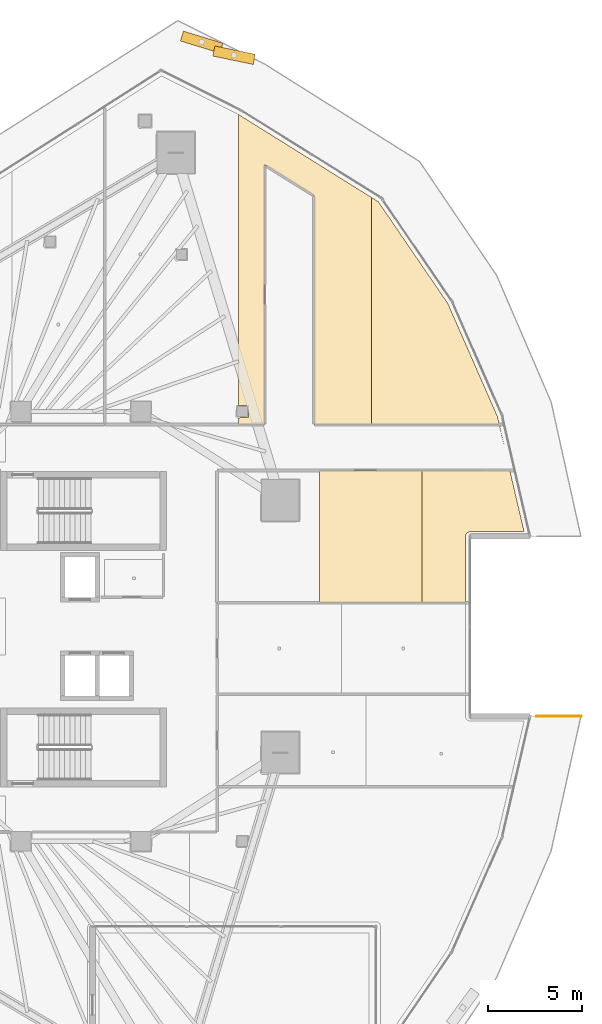
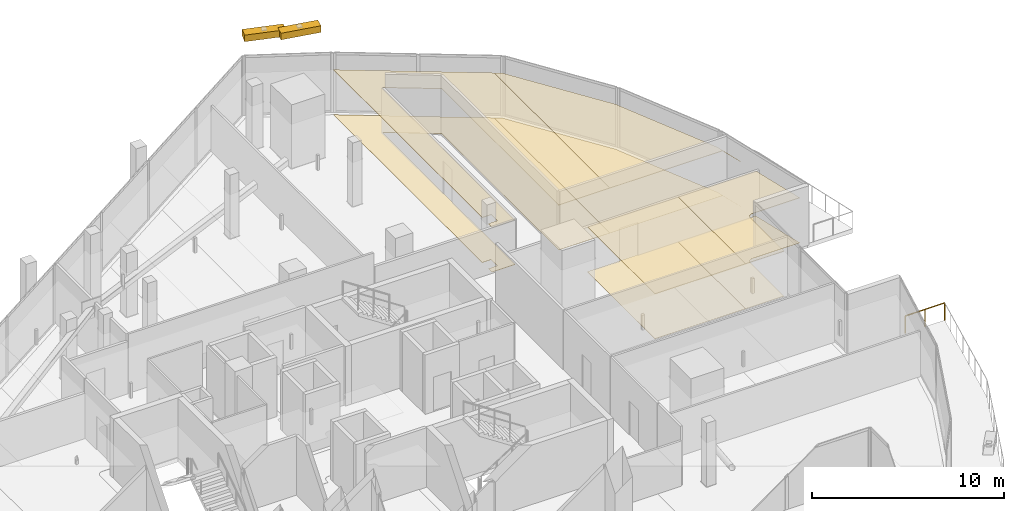
# One storey, part 43 of 43: 8 coverings, 2 shading devices, 1 railing.
"""IFC4 building model written with IfcOpenShell, lengths in metres."""

from ifc_helpers import new_model, si_unit, direction, frame, origin, origin_2d, place, context, subcontext, project, spatial, polyline, rectangle, circle, outline, extrude, material, layer, layer_set, type_object, element, save


model = new_model("IFC4")

# Units and contexts
model_context = context("Model", 3, precision=1e-05, world=origin(), true_north=direction((0.0, 1.0)))
body_context = subcontext(model_context, "Body", "Model", "MODEL_VIEW")
ifc_project = project(units=[si_unit("LENGTHUNIT", "METRE"), si_unit("AREAUNIT", "SQUARE_METRE"), si_unit("VOLUMEUNIT", "CUBIC_METRE"), si_unit("PLANEANGLEUNIT", "RADIAN"), si_unit("MASSUNIT", "GRAM", prefix="KILO")], contexts=[model_context])

# Site, building, storey
site_placement = place(None, origin())
site = spatial("IfcSite", under=ifc_project, at=site_placement, CompositionType="ELEMENT")
building_placement = place(site_placement, origin())
building = spatial("IfcBuilding", under=site, at=building_placement, Name="Qorvath Tower", CompositionType="ELEMENT")
storey_placement = place(building_placement, frame((0.0, 0.0, 150.300048828125)))
storey = spatial("IfcBuildingStorey", under=building, at=storey_placement, Name="L34", CompositionType="ELEMENT", Elevation=150.300048828125)

# Coverings
ifc_material_1 = material(Name="Acoustic mineral fibre ceiling tile", Category="gypsum")
ifc_layer_1 = layer(ifc_material_1, 0.030029296875)
ifc_layer_set_1 = layer_set([ifc_layer_1], Name="COV-CEIL")
covering_type_1 = type_object("IfcCoveringType", Name="COV-CEIL", PredefinedType="CEILING", material=ifc_layer_set_1)
covering_1_placement = place(storey_placement, frame((0.0, 0.0, 2.849853515625)))
element("IfcCovering", 1, at=covering_1_placement, inside=storey, type_object=covering_type_1, Name="L34 Suspended Acoustic Ceiling 015", PredefinedType="CEILING", context=body_context, shape_type="SweptSolid", body=[
    extrude(outline(polyline([(-4.907958984375, 10.762939453125), (-4.907958984375, 22.8505859375), (-12.013671875, 27.28466796875), (-12.013671875, 11.767333984375), (-11.482666015625, 11.767333984375), (-11.482666015625, 11.132568359375), (-12.013671875, 11.11669921875), (-12.013671875, 10.762939453125), (-10.613037109375, 10.762939453125), (-10.608642578125, 24.6005859375), (-7.987060546875, 22.96337890625), (-7.987060546875, 10.762939453125), (-4.907958984375, 10.762939453125)])), origin(), (0.0, 0.0, 1.0), 0.030029296875),
])
covering_2_placement = place(storey_placement, frame((0.0, 0.0, 2.849853515625)))
element("IfcCovering", 2, at=covering_2_placement, inside=storey, type_object=covering_type_1, Name="L34 Suspended Acoustic Ceiling 016", PredefinedType="CEILING", context=body_context, shape_type="SweptSolid", body=[
    extrude(outline(polyline([(-0.85205078125, 17.2138671875), (-4.5537109375, 22.62939453125), (-4.907958984375, 22.8505859375), (-4.907958984375, 10.762939453125), (1.87646484375, 10.762939453125), (2.19775390625, 9.44580078125), (1.796142578125, 11.18017578125), (-0.85205078125, 17.2138671875)])), origin(), (0.0, 0.0, 1.0), 0.030029296875),
])
covering_3_placement = place(storey_placement, frame((0.0, 0.0, 2.849853515625)))
element("IfcCovering", 3, at=covering_3_placement, inside=storey, type_object=covering_type_1, Name="L34 Suspended Acoustic Ceiling 025", PredefinedType="CEILING", context=body_context, shape_type="SweptSolid", body=[
    extrude(outline(polyline([(-2.235107421875, 1.265380859375), (-2.235107421875, 8.318359375), (-7.68603515625, 8.312744140625), (-7.68603515625, 1.265380859375), (-2.235107421875, 1.265380859375)])), origin(), (0.0, 0.0, 1.0), 0.030029296875),
])
covering_4_placement = place(storey_placement, frame((0.0, 0.0, 2.849853515625)))
element("IfcCovering", 4, at=covering_4_placement, inside=storey, type_object=covering_type_1, Name="L34 Suspended Acoustic Ceiling 026", PredefinedType="CEILING", context=body_context, shape_type="SweptSolid", body=[
    extrude(outline(polyline([(0.144287109375, 4.958251953125), (0.315185546875, 5.049072265625), (3.2158203125, 5.05029296875), (2.449462890625, 8.3232421875), (-2.235107421875, 8.318359375), (-2.235107421875, 1.265380859375), (0.084716796875, 1.265380859375), (0.0859375, 4.81982421875), (0.144287109375, 4.958251953125)])), origin(), (0.0, 0.0, 1.0), 0.030029296875),
])
ifc_material_2 = material(Name="Low-VOC modular carpet tile", Category="textile")
ifc_layer_2 = layer(ifc_material_2, 0.014892578125)
ifc_layer_set_2 = layer_set([ifc_layer_2], Name="COV-FLOOR-CPT")
covering_type_2 = type_object("IfcCoveringType", Name="COV-FLOOR-CPT", PredefinedType="FLOORING", material=ifc_layer_set_2)
covering_5_placement = place(storey_placement, origin())
element("IfcCovering", 5, at=covering_5_placement, inside=storey, type_object=covering_type_2, Name="L34 Floor Finish 015", PredefinedType="FLOORING", context=body_context, shape_type="SweptSolid", body=[
    extrude(outline(polyline([(-4.907958984375, 10.762939453125), (-4.907958984375, 22.8505859375), (-12.013671875, 27.28466796875), (-12.013671875, 11.767333984375), (-11.482666015625, 11.767333984375), (-11.482666015625, 11.132568359375), (-12.013671875, 11.11669921875), (-12.013671875, 10.762939453125), (-10.613037109375, 10.762939453125), (-10.608642578125, 24.6005859375), (-7.987060546875, 22.96337890625), (-7.987060546875, 10.762939453125), (-4.907958984375, 10.762939453125)])), origin(), (0.0, 0.0, 1.0), 0.014892578125),
])
covering_6_placement = place(storey_placement, origin())
element("IfcCovering", 6, at=covering_6_placement, inside=storey, type_object=covering_type_2, Name="L34 Floor Finish 016", PredefinedType="FLOORING", context=body_context, shape_type="SweptSolid", body=[
    extrude(outline(polyline([(-0.85205078125, 17.2138671875), (-4.5537109375, 22.62939453125), (-4.907958984375, 22.8505859375), (-4.907958984375, 10.762939453125), (1.87646484375, 10.762939453125), (2.19775390625, 9.44580078125), (1.796142578125, 11.18017578125), (-0.85205078125, 17.2138671875)])), origin(), (0.0, 0.0, 1.0), 0.014892578125),
])
covering_7_placement = place(storey_placement, origin())
element("IfcCovering", 7, at=covering_7_placement, inside=storey, type_object=covering_type_2, Name="L34 Floor Finish 025", PredefinedType="FLOORING", context=body_context, shape_type="SweptSolid", body=[
    extrude(outline(polyline([(-2.235107421875, 1.265380859375), (-2.235107421875, 8.318359375), (-7.68603515625, 8.312744140625), (-7.68603515625, 1.265380859375), (-2.235107421875, 1.265380859375)])), origin(), (0.0, 0.0, 1.0), 0.014892578125),
])
covering_8_placement = place(storey_placement, origin())
element("IfcCovering", 8, at=covering_8_placement, inside=storey, type_object=covering_type_2, Name="L34 Floor Finish 026", PredefinedType="FLOORING", context=body_context, shape_type="SweptSolid", body=[
    extrude(outline(polyline([(0.144287109375, 4.958251953125), (0.315185546875, 5.049072265625), (3.2158203125, 5.05029296875), (2.449462890625, 8.3232421875), (-2.235107421875, 8.318359375), (-2.235107421875, 1.265380859375), (0.084716796875, 1.265380859375), (0.0859375, 4.81982421875), (0.144287109375, 4.958251953125)])), origin(), (0.0, 0.0, 1.0), 0.014892578125),
])

# Railing
ifc_material_3 = material(Name="Laminated safety glass and stainless steel AISI 316", Category="steel")
railing_type = type_object("IfcRailingType", Name="RL-EXT-GRD", PredefinedType="GUARDRAIL", material=ifc_material_3)
railing_placement = place(storey_placement, frame((3.88623046875, -4.795166015625, 0.0)))
element("IfcRailing", 9, at=railing_placement, inside=storey, type_object=railing_type, Name="Loggia Perimeter Guardrail L34-1.2", PredefinedType="GUARDRAIL", context=body_context, shape_type="SweptSolid", body=[
    extrude(circle(Radius=0.02392578125, at=origin_2d()), frame((0.0, 0.0, 1.09619140625), z_axis=(1.0, 0.0, 0.0), x_axis=(0.0, 1.0, 0.0)), (0.0, 0.0, 1.0), 2.366455078125),
    extrude(circle(Radius=0.02099609375, at=origin_2d()), origin(), (0.0, 0.0, 1.0), 1.072021484375),
    extrude(circle(Radius=0.02099609375, at=origin_2d()), frame((1.18310546875, 0.0, 0.0)), (0.0, 0.0, 1.0), 1.072021484375),
    extrude(circle(Radius=0.02099609375, at=origin_2d()), frame((2.366455078125, 0.0, 0.0)), (0.0, 0.0, 1.0), 1.072021484375),
])

# Shading devices
ifc_material_4 = material(Name="Anodised bronze-champagne aluminium", Category="aluminium")
shading_device_type = type_object("IfcShadingDeviceType", Name="SD-LOUVRE", PredefinedType="JALOUSIE", material=ifc_material_4)
for number, where, z_axis, x_axis, name in (
    (10, (-12.2412109375, 30.439208984375, 3.360107421875), (0.0, 0.0, 1.0), (-0.979055778466, 0.203592196935, 0.0), "Sinusoidal Wave Louvre Blade L34-05"),
    (11, (-13.96875, 31.136474609375, 3.360107421875), (0.0, 0.0, 1.0), (-0.95593762063, 0.293569864707, 0.0), "Sinusoidal Wave Louvre Blade L34-06"),
):
    element("IfcShadingDevice", number, at=place(storey_placement, frame(where, z_axis=z_axis, x_axis=x_axis)), inside=storey, type_object=shading_device_type, Name=name, PredefinedType="NOTDEFINED", context=body_context, shape_type="SweptSolid", body=[
        extrude(rectangle(XDim=2.199951171875, YDim=0.550048828125, at=origin_2d()), origin(), (0.0, 0.0, 1.0), 0.419921875),
    ])

save(model, "model.ifc")
